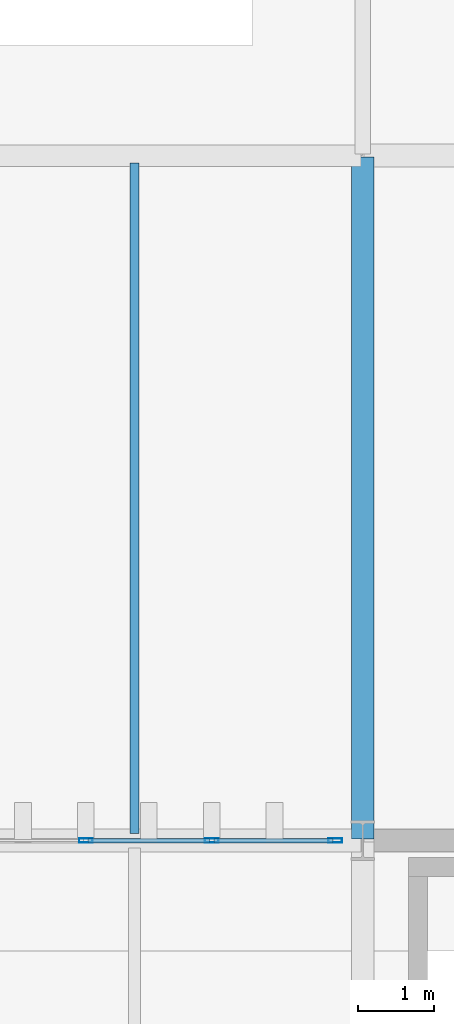
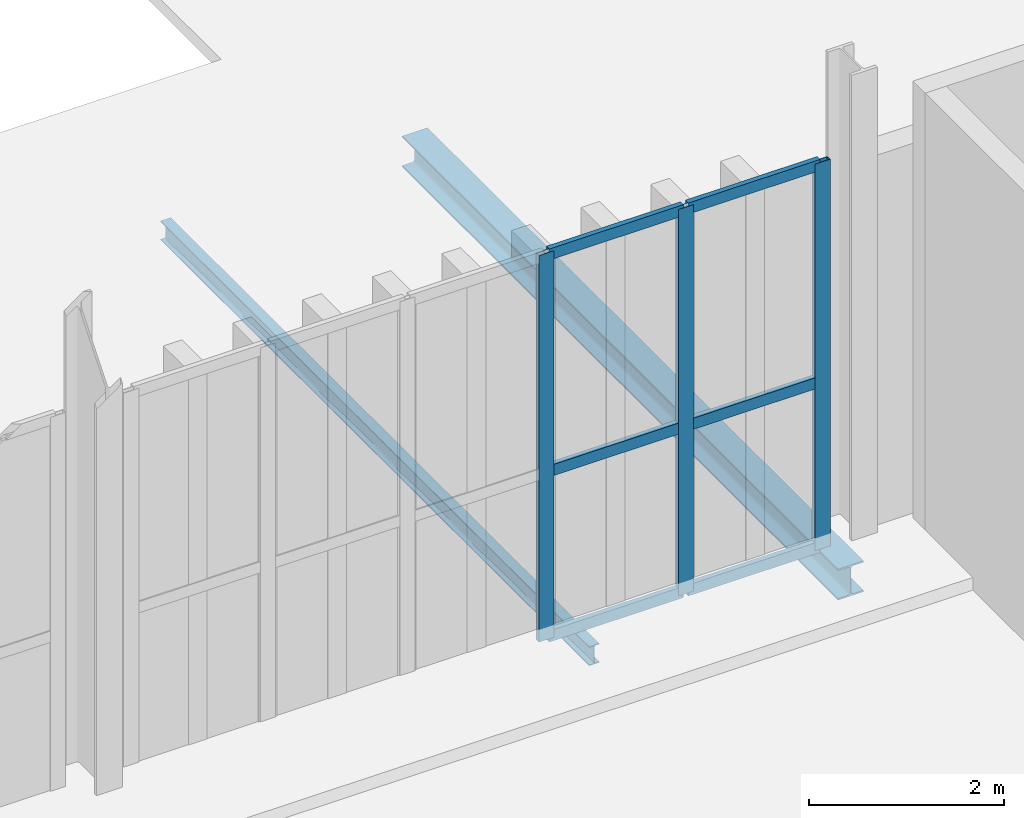
# One storey, part 159 of 237: 9 members, 2 beams, 1 element without a shape of its own.
"""IFC4 building model written with IfcOpenShell, lengths in metres."""

from ifc_helpers import new_model, si_unit, direction, frame, origin, origin_2d, place, context, subcontext, project, spatial, hollow_rectangle, i_section, extrude, material, layer, layer_set, material_profile, profile_set, type_object, element, aggregate, save


model = new_model("IFC4")

# Units and contexts
model_context = context("Model", 3, precision=1e-05, world=origin(), true_north=direction((0.0, 1.0)))
body_context = subcontext(model_context, "Body", "Model", "MODEL_VIEW")
ifc_project = project(units=[si_unit("LENGTHUNIT", "METRE"), si_unit("AREAUNIT", "SQUARE_METRE"), si_unit("VOLUMEUNIT", "CUBIC_METRE"), si_unit("PLANEANGLEUNIT", "RADIAN"), si_unit("MASSUNIT", "GRAM", prefix="KILO")], contexts=[model_context])

# Site, building, storey
site_placement = place(None, origin())
site = spatial("IfcSite", under=ifc_project, at=site_placement, CompositionType="ELEMENT")
building_placement = place(site_placement, origin())
building = spatial("IfcBuilding", under=site, at=building_placement, Name="Barlavento Convention Centre", CompositionType="ELEMENT")
storey_placement = place(building_placement, frame((0.0, 0.0, 12.0)))
storey = spatial("IfcBuildingStorey", under=building, at=storey_placement, Name="L02", CompositionType="ELEMENT", Elevation=12.0)

# Curtain wall, members
ifc_material_1 = material(Name="Powder-coated aluminium and Low-E glass", Category="aluminium")
ifc_layer = layer(ifc_material_1, 0.195068359375)
ifc_layer_set = layer_set([ifc_layer], Name="ARC-CW-BALL-L02")
curtain_wall_type = type_object("IfcCurtainWallType", Name="ARC-CW-BALL-L02", PredefinedType="NOTDEFINED", material=ifc_layer_set)
curtain_wall_placement = place(storey_placement, origin())
curtain_wall = element("IfcCurtainWall", 1, at=curtain_wall_placement, inside=storey, type_object=curtain_wall_type, Name="L02 unitised curtain wall CW07", PredefinedType="NOTDEFINED")
ifc_material_2 = material(Name="Powder-coated aluminium", Category="aluminium")
ifc_material_profile_1 = material_profile(ifc_material_2, hollow_rectangle(XDim=0.06005859375, YDim=0.179931640625, WallThickness=0.0048828125, at=origin_2d()), Name="AL-MULL 60x180x5")
ifc_profile_set_1 = profile_set([ifc_material_profile_1], Name="Powder-coated aluminium")
member_type_1 = type_object("IfcMemberType", Name="ARC-CWM-60X180", PredefinedType="MULLION", material=ifc_profile_set_1)
member_1_placement = place(storey_placement, frame((176.3623046875, 99.0, 0.0), z_axis=(0.0, 0.0, 1.0), x_axis=(0.0, 1.0, 0.0)))
member_1 = element("IfcMember", 2, at=member_1_placement, type_object=member_type_1, Name="CW07 mullion 4", PredefinedType="MULLION", context=body_context, shape_type="SweptSolid", body=[
    extrude(hollow_rectangle(XDim=0.06005859375, YDim=0.179931640625, WallThickness=0.0048828125, at=origin_2d()), origin(), (0.0, 0.0, 1.0), 4.85009765625),
])
member_2_placement = place(storey_placement, frame((178.01513671875, 99.0, 0.0), z_axis=(0.0, 0.0, 1.0), x_axis=(0.0, 1.0, 0.0)))
member_2 = element("IfcMember", 3, at=member_2_placement, type_object=member_type_1, Name="CW07 mullion 5", PredefinedType="MULLION", context=body_context, shape_type="SweptSolid", body=[
    extrude(hollow_rectangle(XDim=0.06005859375, YDim=0.179931640625, WallThickness=0.0048828125, at=origin_2d()), origin(), (0.0, 0.0, 1.0), 4.85009765625),
])
member_3_placement = place(storey_placement, frame((179.637939453125, 99.0, 0.0), z_axis=(0.0, 0.0, 1.0), x_axis=(0.0, 1.0, 0.0)))
member_3 = element("IfcMember", 4, at=member_3_placement, type_object=member_type_1, Name="CW07 mullion 6", PredefinedType="MULLION", context=body_context, shape_type="SweptSolid", body=[
    extrude(hollow_rectangle(XDim=0.06005859375, YDim=0.179931640625, WallThickness=0.0048828125, at=origin_2d()), origin(), (0.0, 0.0, 1.0), 4.85009765625),
])
ifc_material_profile_2 = material_profile(ifc_material_2, hollow_rectangle(XDim=0.06005859375, YDim=0.139892578125, WallThickness=0.00390625, at=origin_2d()), Name="AL-TRAN 60x140x4")
ifc_profile_set_2 = profile_set([ifc_material_profile_2], Name="Powder-coated aluminium")
member_type_2 = type_object("IfcMemberType", Name="ARC-CWT-60X140", PredefinedType="USERDEFINED", material=ifc_profile_set_2)
member_4_placement = place(storey_placement, frame((176.392333984375, 99.0, 0.030029296875), z_axis=(1.0, 0.0, 0.0), x_axis=(0.0, 1.0, 0.0)))
member_4 = element("IfcMember", 5, at=member_4_placement, type_object=member_type_2, Name="CW07 transom 4.1", ObjectType="TRANSOM", PredefinedType="USERDEFINED", context=body_context, shape_type="SweptSolid", body=[
    extrude(hollow_rectangle(XDim=0.06005859375, YDim=0.139892578125, WallThickness=0.00390625, at=origin_2d()), origin(), (0.0, 0.0, 1.0), 1.5927734375),
])
member_5_placement = place(storey_placement, frame((176.392333984375, 99.0, 2.10009765625), z_axis=(1.0, 0.0, 0.0), x_axis=(0.0, 1.0, 0.0)))
member_5 = element("IfcMember", 6, at=member_5_placement, type_object=member_type_2, Name="CW07 transom 4.2", ObjectType="TRANSOM", PredefinedType="USERDEFINED", context=body_context, shape_type="SweptSolid", body=[
    extrude(hollow_rectangle(XDim=0.06005859375, YDim=0.139892578125, WallThickness=0.00390625, at=origin_2d()), origin(), (0.0, 0.0, 1.0), 1.5927734375),
])
member_6_placement = place(storey_placement, frame((176.392333984375, 99.0, 4.820068359375), z_axis=(1.0, 0.0, 0.0), x_axis=(0.0, 1.0, 0.0)))
member_6 = element("IfcMember", 7, at=member_6_placement, type_object=member_type_2, Name="CW07 transom 4.3", ObjectType="TRANSOM", PredefinedType="USERDEFINED", context=body_context, shape_type="SweptSolid", body=[
    extrude(hollow_rectangle(XDim=0.06005859375, YDim=0.139892578125, WallThickness=0.00390625, at=origin_2d()), origin(), (0.0, 0.0, 1.0), 1.5927734375),
])
member_7_placement = place(storey_placement, frame((178.045166015625, 99.0, 0.030029296875), z_axis=(1.0, 0.0, 0.0), x_axis=(0.0, 1.0, 0.0)))
member_7 = element("IfcMember", 8, at=member_7_placement, type_object=member_type_2, Name="CW07 transom 5.1", ObjectType="TRANSOM", PredefinedType="USERDEFINED", context=body_context, shape_type="SweptSolid", body=[
    extrude(hollow_rectangle(XDim=0.06005859375, YDim=0.139892578125, WallThickness=0.00390625, at=origin_2d()), origin(), (0.0, 0.0, 1.0), 1.562744140625),
])
member_8_placement = place(storey_placement, frame((178.045166015625, 99.0, 2.10009765625), z_axis=(1.0, 0.0, 0.0), x_axis=(0.0, 1.0, 0.0)))
member_8 = element("IfcMember", 9, at=member_8_placement, type_object=member_type_2, Name="CW07 transom 5.2", ObjectType="TRANSOM", PredefinedType="USERDEFINED", context=body_context, shape_type="SweptSolid", body=[
    extrude(hollow_rectangle(XDim=0.06005859375, YDim=0.139892578125, WallThickness=0.00390625, at=origin_2d()), origin(), (0.0, 0.0, 1.0), 1.562744140625),
])
member_9_placement = place(storey_placement, frame((178.045166015625, 99.0, 4.820068359375), z_axis=(1.0, 0.0, 0.0), x_axis=(0.0, 1.0, 0.0)))
member_9 = element("IfcMember", 10, at=member_9_placement, type_object=member_type_2, Name="CW07 transom 5.3", ObjectType="TRANSOM", PredefinedType="USERDEFINED", context=body_context, shape_type="SweptSolid", body=[
    extrude(hollow_rectangle(XDim=0.06005859375, YDim=0.139892578125, WallThickness=0.00390625, at=origin_2d()), origin(), (0.0, 0.0, 1.0), 1.562744140625),
])
aggregate(curtain_wall, [member_1, member_2, member_3, member_4, member_5, member_6, member_7, member_8, member_9])

# Beams
ifc_material_3 = material(Name="Steel S355", Category="steel")
ifc_material_profile_3 = material_profile(ifc_material_3, i_section(OverallWidth=0.1201171875, OverallDepth=0.239990234375, WebThickness=0.006103515625, FlangeThickness=0.009765625, FilletRadius=0.014892578125, at=origin_2d()), Name="IPE 240")
ifc_profile_set_3 = profile_set([ifc_material_profile_3], Name="Steel S355")
beam_type_1 = type_object("IfcBeamType", Name="STR-BM-JST-IPE240", PredefinedType="JOIST", material=ifc_profile_set_3)
beam_1_placement = place(storey_placement, frame((177.0, 99.094970703125, -0.485107421875), z_axis=(0.0, 1.0, 0.0), x_axis=(-1.0, 0.0, 0.0)))
element("IfcBeam", 11, at=beam_1_placement, inside=storey, type_object=beam_type_1, Name="L02 composite floor joist SJ09", PredefinedType="JOIST", context=body_context, shape_type="SweptSolid", body=[
    extrude(i_section(OverallWidth=0.1201171875, OverallDepth=0.239990234375, WebThickness=0.006103515625, FlangeThickness=0.009765625, FilletRadius=0.014892578125, at=origin_2d()), origin(), (0.0, 0.0, 1.0), 8.81005859375),
])
ifc_material_profile_4 = material_profile(ifc_material_3, i_section(OverallWidth=0.300048828125, OverallDepth=0.389892578125, WebThickness=0.010986328125, FlangeThickness=0.01904296875, FilletRadius=0.027099609375, at=origin_2d()), Name="HEA 400")
ifc_profile_set_4 = profile_set([ifc_material_profile_4], Name="Steel S355")
beam_type_2 = type_object("IfcBeamType", Name="STR-BM-PRI-HEA400", PredefinedType="BEAM", material=ifc_profile_set_4)
beam_2_placement = place(storey_placement, frame((180.0, 99.02001953125, -0.56005859375), z_axis=(0.0, 1.0, 0.0), x_axis=(-1.0, 0.0, 0.0)))
element("IfcBeam", 12, at=beam_2_placement, inside=storey, type_object=beam_type_2, Name="L02 grid girder BG22", PredefinedType="BEAM", context=body_context, shape_type="SweptSolid", body=[
    extrude(i_section(OverallWidth=0.300048828125, OverallDepth=0.389892578125, WebThickness=0.010986328125, FlangeThickness=0.01904296875, FilletRadius=0.027099609375, at=origin_2d()), origin(), (0.0, 0.0, 1.0), 8.9599609375),
])

save(model, "model.ifc")
